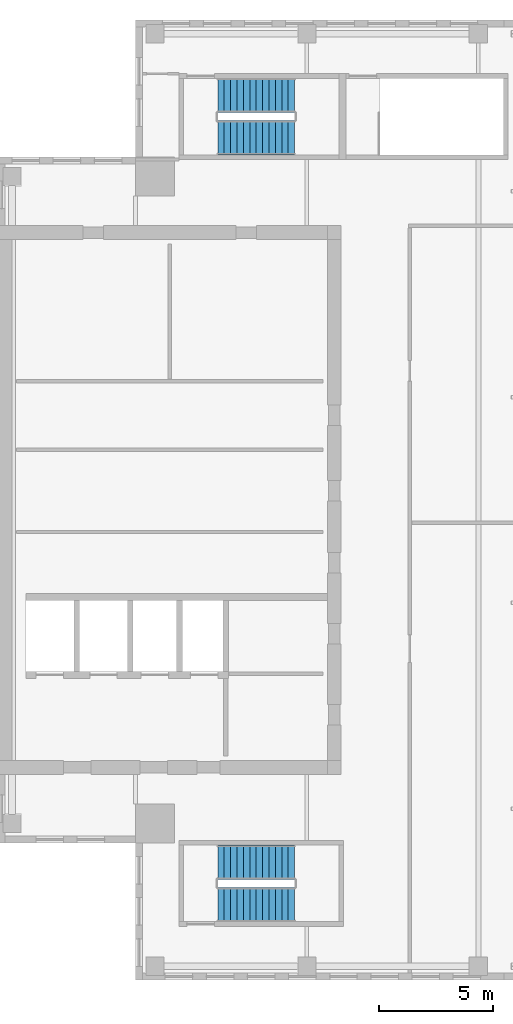
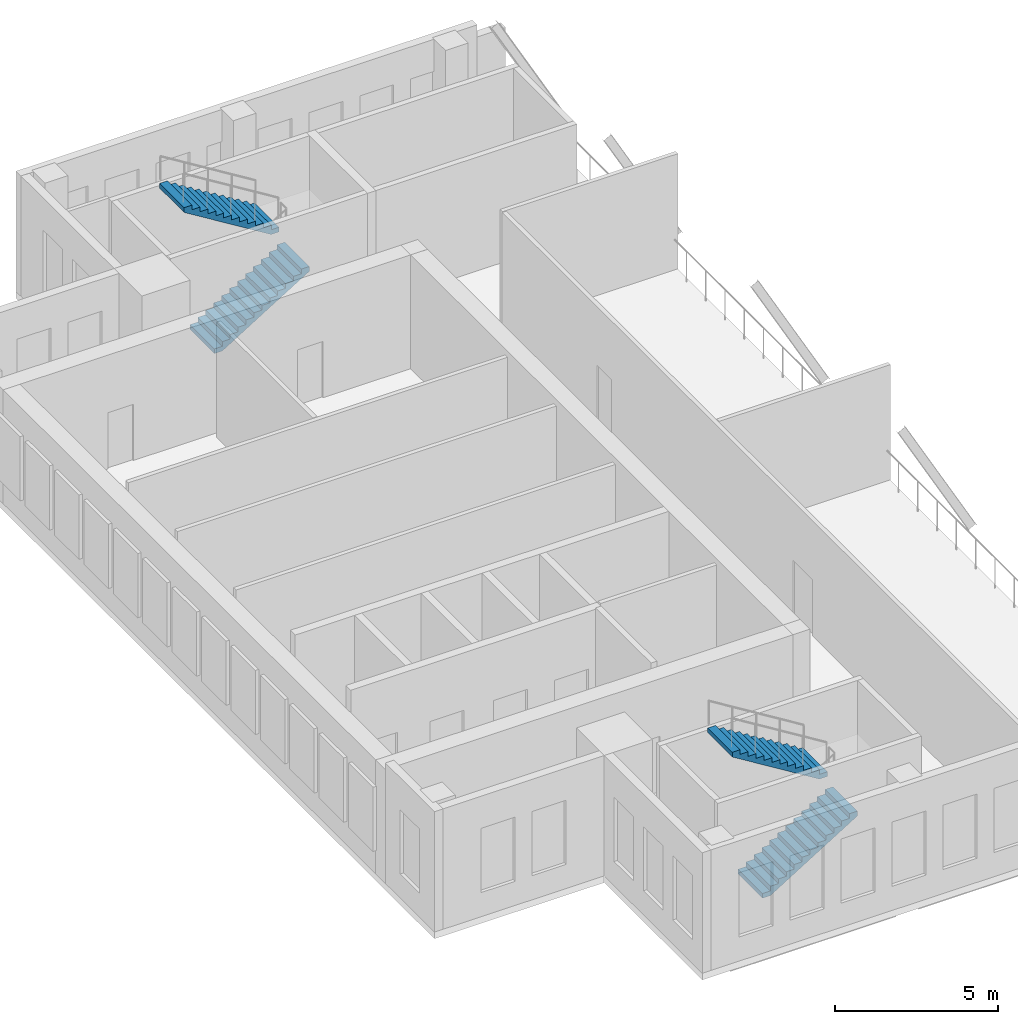
# One storey, part 4 of 5: 4 stair flights, 2 elements without a shape of their own.
"""IFC4 building model written with IfcOpenShell, lengths in metres."""

from ifc_helpers import new_model, si_unit, direction, frame, origin, place, context, subcontext, project, spatial, polyline, outline, extrude, source, transform, mapped, material, type_object, element, aggregate, save


model = new_model("IFC4")

# Units and contexts
model_context = context("Model", 3, precision=1e-05, world=origin(), true_north=direction((0.0, 1.0)))
body_context = subcontext(model_context, "Body", "Model", "MODEL_VIEW")
ifc_project = project(units=[si_unit("LENGTHUNIT", "METRE"), si_unit("AREAUNIT", "SQUARE_METRE"), si_unit("VOLUMEUNIT", "CUBIC_METRE"), si_unit("PLANEANGLEUNIT", "RADIAN"), si_unit("MASSUNIT", "GRAM", prefix="KILO")], contexts=[model_context])

# Site, building, storey
site_placement = place(None, origin())
site = spatial("IfcSite", under=ifc_project, at=site_placement, CompositionType="ELEMENT")
building_placement = place(site_placement, origin())
building = spatial("IfcBuilding", under=site, at=building_placement, Name="Khomas Fold Tower", CompositionType="ELEMENT")
storey_placement = place(building_placement, frame((0.0, 0.0, 343.699951171875)))
storey = spatial("IfcBuildingStorey", under=building, at=storey_placement, Name="C4", CompositionType="ELEMENT", Elevation=343.699951171875)

# Stair, stair flights
ifc_material_1 = material(Name="Concrete C40/50", Category="concrete")
stair_type_1 = type_object("IfcStairType", Name="Stair ST1", PredefinedType="HALF_TURN_STAIR", material=ifc_material_1)
stair_1_placement = place(storey_placement, origin())
stair_1 = element("IfcStair", 1, at=stair_1_placement, inside=storey, type_object=stair_type_1, Name="C4 ST1", PredefinedType="HALF_TURN_STAIR")
ifc_material_2 = material(Name="Concrete C40/50", Category="concrete")
stair_flight_type_1 = type_object("IfcStairFlightType", Name="Stair flight 1500 ST1", PredefinedType="STRAIGHT", material=ifc_material_2)
shared_shape = source(origin(), body_context, "Body", "SweptSolid", [
    extrude(outline(polyline([(0.0, 0.0), (0.0, 0.013427734375), (0.0, 0.026611328125), (0.0, 0.0400390625), (0.0, 0.05322265625), (0.0, 0.066650390625), (0.0, 0.079833984375), (0.0, 0.09326171875), (0.0, 0.1064453125), (0.0, 0.119873046875), (0.0, 0.133056640625), (0.0, 0.146484375), (0.0, 0.15966796875), (0.0, 0.173095703125), (0.280029296875, 0.173095703125), (0.280029296875, 0.34619140625), (0.56005859375, 0.34619140625), (0.56005859375, 0.519287109375), (0.840087890625, 0.519287109375), (0.840087890625, 0.6923828125), (1.1201171875, 0.6923828125), (1.1201171875, 0.865478515625), (1.39990234375, 0.865478515625), (1.39990234375, 1.03857421875), (1.679931640625, 1.03857421875), (1.679931640625, 1.21142578125), (1.9599609375, 1.21142578125), (1.9599609375, 1.384521484375), (2.239990234375, 1.384521484375), (2.239990234375, 1.5576171875), (2.52001953125, 1.5576171875), (2.52001953125, 1.730712890625), (2.800048828125, 1.730712890625), (2.800048828125, 1.90380859375), (3.080078125, 1.90380859375), (3.080078125, 2.076904296875), (3.360107421875, 2.076904296875), (3.360107421875, 2.25), (3.360107421875, 2.22314453125), (3.360107421875, 2.1962890625), (3.360107421875, 2.16943359375), (3.360107421875, 2.142578125), (3.360107421875, 2.11572265625), (3.360107421875, 2.0888671875), (3.360107421875, 2.06201171875), (3.360107421875, 2.03515625), (3.360107421875, 2.008056640625), (3.360107421875, 1.981201171875), (3.360107421875, 1.954345703125), (3.360107421875, 1.927490234375), (3.360107421875, 1.900634765625), (0.28515625, 0.0), (0.0, 0.0)])), frame((0.0, 0.75, 0.0), z_axis=(0.0, -1.0, 0.0), x_axis=(1.0, 0.0, 0.0)), (0.0, 0.0, 1.0), 1.5),
])
stair_flight_1_placement = place(storey_placement, frame((15.60009765625, 42.85009765625, 0.0), z_axis=(0.0, 0.0, 1.0), x_axis=(1.0, 0.0, 0.0)))
stair_flight_1 = element("IfcStairFlight", 2, at=stair_flight_1_placement, type_object=stair_flight_type_1, Name="ST1 flight 1", NumberOfRisers=13, NumberOfTreads=12, PredefinedType="STRAIGHT", RiserHeight=0.173076923, TreadLength=0.28, context=body_context, shape_type="MappedRepresentation", body=[
    mapped(shared_shape, transform((0.0, 0.0, 0.0))),
])
stair_flight_2_placement = place(storey_placement, frame((18.9599609375, 44.699951171875, 2.25), z_axis=(0.0, 0.0, 1.0), x_axis=(-1.0, 0.0, 0.0)))
stair_flight_2 = element("IfcStairFlight", 3, at=stair_flight_2_placement, type_object=stair_flight_type_1, Name="ST1 flight 2", NumberOfRisers=13, NumberOfTreads=12, PredefinedType="STRAIGHT", RiserHeight=0.173076923, TreadLength=0.28, context=body_context, shape_type="MappedRepresentation", body=[
    mapped(shared_shape, transform((0.0, 0.0, 0.0))),
])
aggregate(stair_1, [stair_flight_1, stair_flight_2])

ifc_material_3 = material(Name="Concrete C40/50", Category="concrete")
stair_type_2 = type_object("IfcStairType", Name="Stair ST2", PredefinedType="HALF_TURN_STAIR", material=ifc_material_3)
stair_2_placement = place(storey_placement, origin())
stair_2 = element("IfcStair", 4, at=stair_2_placement, inside=storey, type_object=stair_type_2, Name="C4 ST2", PredefinedType="HALF_TURN_STAIR")
ifc_material_4 = material(Name="Concrete C40/50", Category="concrete")
stair_flight_type_2 = type_object("IfcStairFlightType", Name="Stair flight 1500 ST2", PredefinedType="STRAIGHT", material=ifc_material_4)
stair_flight_3_placement = place(storey_placement, frame((15.60009765625, 9.300048828125, 0.0), z_axis=(0.0, 0.0, 1.0), x_axis=(1.0, 0.0, 0.0)))
stair_flight_3 = element("IfcStairFlight", 5, at=stair_flight_3_placement, type_object=stair_flight_type_2, Name="ST2 flight 1", NumberOfRisers=13, NumberOfTreads=12, PredefinedType="STRAIGHT", RiserHeight=0.173076923, TreadLength=0.28, context=body_context, shape_type="MappedRepresentation", body=[
    mapped(shared_shape, transform((0.0, 0.0, 0.0))),
])
stair_flight_4_placement = place(storey_placement, frame((18.9599609375, 11.14990234375, 2.25), z_axis=(0.0, 0.0, 1.0), x_axis=(-1.0, 0.0, 0.0)))
stair_flight_4 = element("IfcStairFlight", 6, at=stair_flight_4_placement, type_object=stair_flight_type_2, Name="ST2 flight 2", NumberOfRisers=13, NumberOfTreads=12, PredefinedType="STRAIGHT", RiserHeight=0.173076923, TreadLength=0.28, context=body_context, shape_type="MappedRepresentation", body=[
    mapped(shared_shape, transform((0.0, 0.0, 0.0))),
])
aggregate(stair_2, [stair_flight_3, stair_flight_4])

save(model, "model.ifc")
